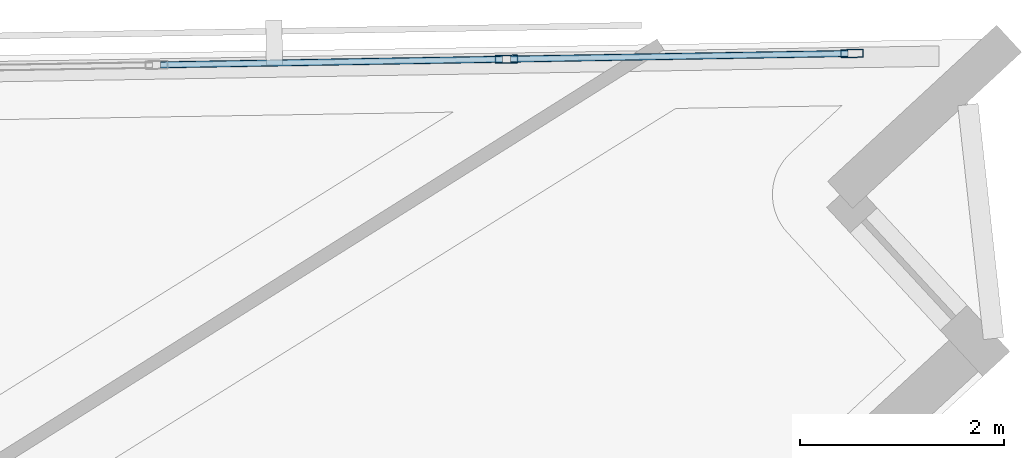
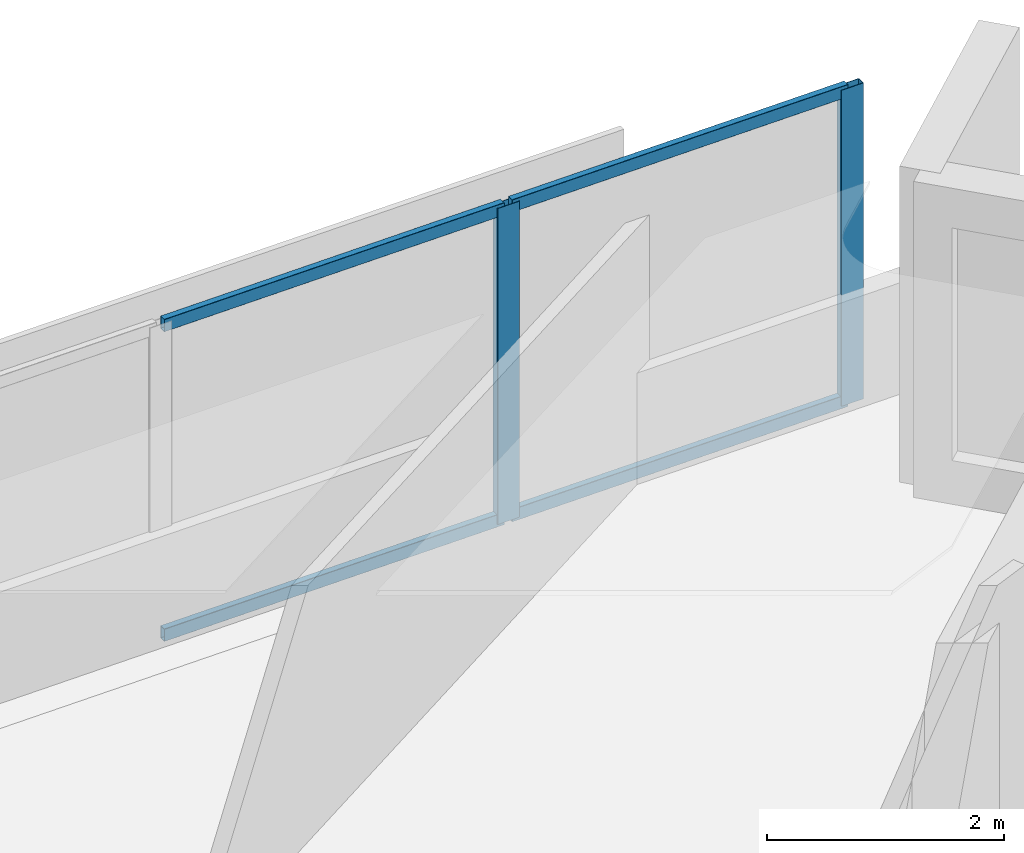
# One storey, part 6 of 13: 6 members, 1 element without a shape of its own.
"""IFC4 building model written with IfcOpenShell, lengths in metres."""

from ifc_helpers import new_model, si_unit, direction, frame, origin, origin_2d, place, context, subcontext, project, spatial, hollow_rectangle, extrude, material, material_profile, profile_set, type_object, element, aggregate, save


model = new_model("IFC4")

# Units and contexts
model_context = context("Model", 3, precision=1e-05, world=origin(), true_north=direction((0.0, 1.0)))
body_context = subcontext(model_context, "Body", "Model", "MODEL_VIEW")
ifc_project = project(units=[si_unit("LENGTHUNIT", "METRE"), si_unit("AREAUNIT", "SQUARE_METRE"), si_unit("VOLUMEUNIT", "CUBIC_METRE"), si_unit("PLANEANGLEUNIT", "RADIAN"), si_unit("MASSUNIT", "GRAM", prefix="KILO")], contexts=[model_context])

# Site, building, storey
site_placement = place(None, origin())
site = spatial("IfcSite", under=ifc_project, at=site_placement, CompositionType="ELEMENT")
building_placement = place(site_placement, origin())
building = spatial("IfcBuilding", under=site, at=building_placement, Name="Narakoshi Arena Tower", CompositionType="ELEMENT")
storey_placement = place(building_placement, frame((0.0, 0.0, 271.300048828125)))
storey = spatial("IfcBuildingStorey", under=building, at=storey_placement, Name="L74", CompositionType="ELEMENT", Elevation=271.300048828125)

# Curtain wall, members
ifc_material = material(Name="Anodised bronze aluminium 6063-T6", Category="aluminium")
curtain_wall_type = type_object("IfcCurtainWallType", Name="CW-HYP-HIGH", PredefinedType="NOTDEFINED", material=ifc_material)
curtain_wall_placement = place(storey_placement, origin())
curtain_wall = element("IfcCurtainWall", 1, at=curtain_wall_placement, inside=storey, type_object=curtain_wall_type, Name="L74 Folded Hypotenuse Curtain Wall 1-1", PredefinedType="NOTDEFINED")
ifc_material_profile_1 = material_profile(ifc_material, hollow_rectangle(XDim=0.080078125, YDim=0.219970703125, WallThickness=0.0048828125, OuterFilletRadius=0.006103515625, at=origin_2d()), Name="MUL220x80x5")
ifc_profile_set_1 = profile_set([ifc_material_profile_1], Name="Anodised bronze aluminium 6063-T6")
member_type_1 = type_object("IfcMemberType", Name="MEM-MUL-220", PredefinedType="MULLION", material=ifc_profile_set_1)
member_1_placement = place(storey_placement, frame((110.4189453125, 64.11767578125, 0.0), z_axis=(0.0, 0.0, 1.0), x_axis=(0.016442997569, -0.999864804777, 0.0)))
member_1 = element("IfcMember", 2, at=member_1_placement, type_object=member_type_1, Name="CW-03 mullion 1", PredefinedType="MULLION", context=body_context, shape_type="SweptSolid", body=[
    extrude(hollow_rectangle(XDim=0.080078125, YDim=0.219970703125, WallThickness=0.0048828125, OuterFilletRadius=0.006103515625, at=origin_2d()), origin(), (0.0, 0.0, 1.0), 3.260009765625),
])
member_2_placement = place(storey_placement, frame((107.031494140625, 64.06201171875, 0.0), z_axis=(0.0, 0.0, 1.0), x_axis=(0.016442997569, -0.999864804777, 0.0)))
member_2 = element("IfcMember", 3, at=member_2_placement, type_object=member_type_1, Name="CW-03 mullion 2", PredefinedType="MULLION", context=body_context, shape_type="SweptSolid", body=[
    extrude(hollow_rectangle(XDim=0.080078125, YDim=0.219970703125, WallThickness=0.0048828125, OuterFilletRadius=0.006103515625, at=origin_2d()), origin(), (0.0, 0.0, 1.0), 3.260009765625),
])
ifc_material_profile_2 = material_profile(ifc_material, hollow_rectangle(XDim=0.06494140625, YDim=0.1298828125, WallThickness=0.00390625, OuterFilletRadius=0.0048828125, at=origin_2d()), Name="TRN130x65x4")
ifc_profile_set_2 = profile_set([ifc_material_profile_2], Name="Anodised bronze aluminium 6063-T6")
member_type_2 = type_object("IfcMemberType", Name="MEM-TRN-130", PredefinedType="USERDEFINED", material=ifc_profile_set_2)
member_3_placement = place(storey_placement, frame((110.37890625, 64.1171875, 0.032470703125), z_axis=(-0.999864541825, -0.016458979318, 0.0), x_axis=(0.016458979318, -0.999864541825, 0.0)))
member_3 = element("IfcMember", 4, at=member_3_placement, type_object=member_type_2, Name="CW-03 transom 1.1", ObjectType="TRANSOM", PredefinedType="USERDEFINED", context=body_context, shape_type="SweptSolid", body=[
    extrude(hollow_rectangle(XDim=0.06494140625, YDim=0.1298828125, WallThickness=0.00390625, OuterFilletRadius=0.0048828125, at=origin_2d()), origin(), (0.0, 0.0, 1.0), 3.307861328125),
])
member_4_placement = place(storey_placement, frame((110.37890625, 64.1171875, 3.2275390625), z_axis=(-0.999864541825, -0.016458979318, 0.0), x_axis=(0.016458979318, -0.999864541825, 0.0)))
member_4 = element("IfcMember", 5, at=member_4_placement, type_object=member_type_2, Name="CW-03 transom 1.2", ObjectType="TRANSOM", PredefinedType="USERDEFINED", context=body_context, shape_type="SweptSolid", body=[
    extrude(hollow_rectangle(XDim=0.06494140625, YDim=0.1298828125, WallThickness=0.00390625, OuterFilletRadius=0.0048828125, at=origin_2d()), origin(), (0.0, 0.0, 1.0), 3.307861328125),
])
member_5_placement = place(storey_placement, frame((106.99169921875, 64.061279296875, 0.032470703125), z_axis=(-0.999865380158, -0.01640797247, 0.0), x_axis=(0.01640797247, -0.999865380158, 0.0)))
member_5 = element("IfcMember", 6, at=member_5_placement, type_object=member_type_2, Name="CW-03 transom 2.1", ObjectType="TRANSOM", PredefinedType="USERDEFINED", context=body_context, shape_type="SweptSolid", body=[
    extrude(hollow_rectangle(XDim=0.06494140625, YDim=0.1298828125, WallThickness=0.00390625, OuterFilletRadius=0.0048828125, at=origin_2d()), origin(), (0.0, 0.0, 1.0), 3.347900390625),
])
member_6_placement = place(storey_placement, frame((106.99169921875, 64.061279296875, 3.2275390625), z_axis=(-0.999865380158, -0.01640797247, 0.0), x_axis=(0.01640797247, -0.999865380158, 0.0)))
member_6 = element("IfcMember", 7, at=member_6_placement, type_object=member_type_2, Name="CW-03 transom 2.2", ObjectType="TRANSOM", PredefinedType="USERDEFINED", context=body_context, shape_type="SweptSolid", body=[
    extrude(hollow_rectangle(XDim=0.06494140625, YDim=0.1298828125, WallThickness=0.00390625, OuterFilletRadius=0.0048828125, at=origin_2d()), origin(), (0.0, 0.0, 1.0), 3.347900390625),
])
aggregate(curtain_wall, [member_1, member_2, member_3, member_4, member_5, member_6])

save(model, "model.ifc")
